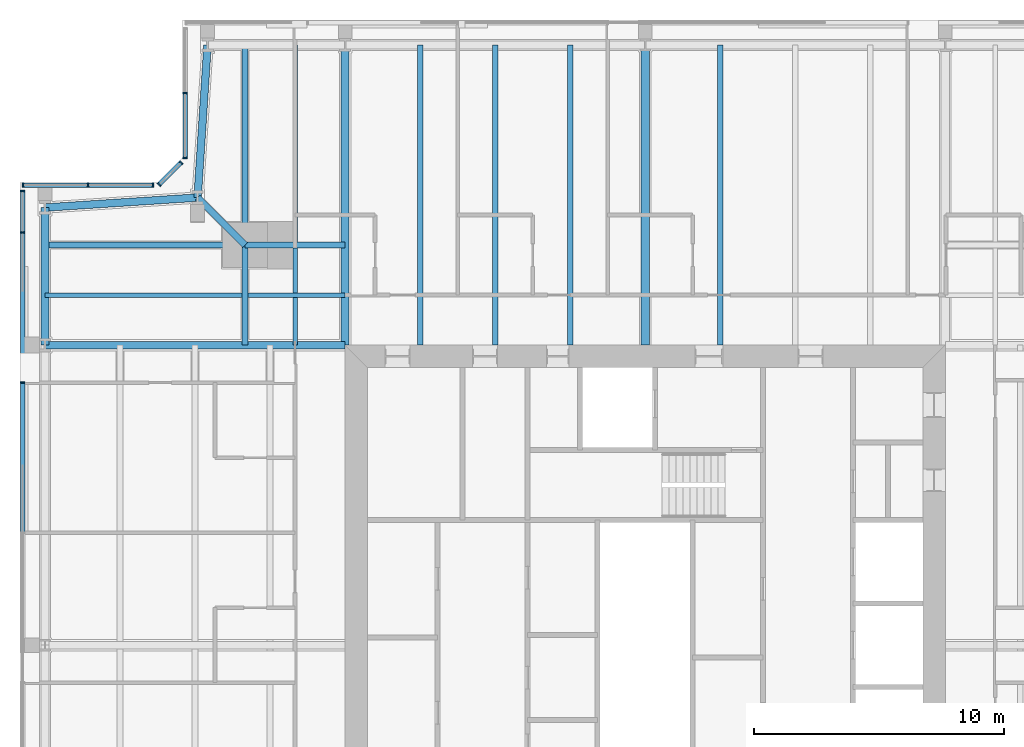
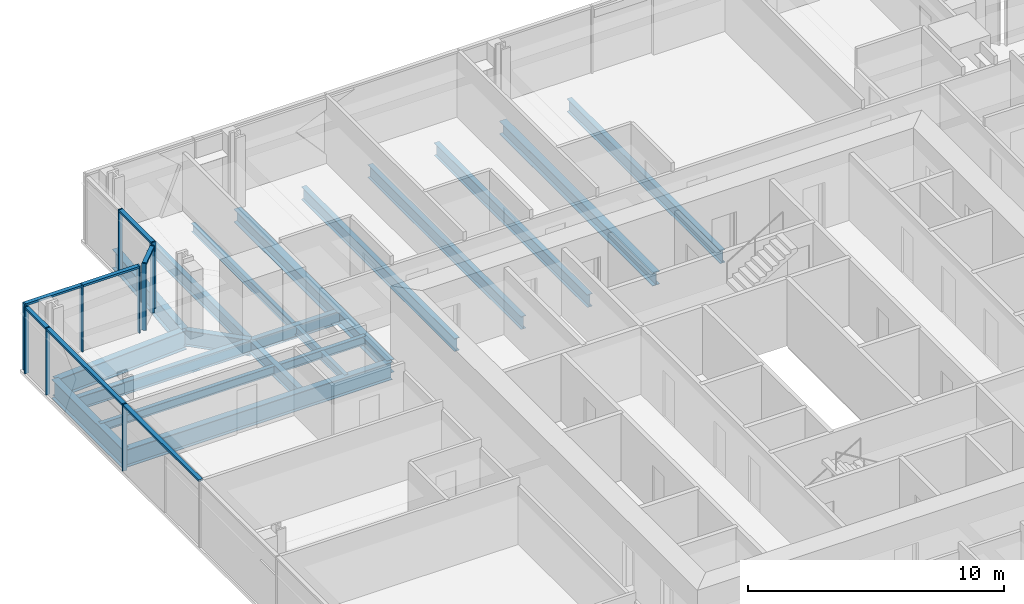
# One storey, part 7 of 18: 20 beams, 17 members, 4 elements without a shape of their own.
"""IFC4 building model written with IfcOpenShell, lengths in metres."""

from ifc_helpers import new_model, si_unit, direction, frame, origin, origin_2d, place, context, subcontext, project, spatial, rectangle, i_section, extrude, material, material_profile, profile_set, type_object, element, aggregate, save


model = new_model("IFC4")

# Units and contexts
model_context = context("Model", 3, precision=1e-05, world=origin(), true_north=direction((0.0, 1.0)))
body_context = subcontext(model_context, "Body", "Model", "MODEL_VIEW")
ifc_project = project(units=[si_unit("LENGTHUNIT", "METRE"), si_unit("AREAUNIT", "SQUARE_METRE"), si_unit("VOLUMEUNIT", "CUBIC_METRE"), si_unit("PLANEANGLEUNIT", "RADIAN"), si_unit("MASSUNIT", "GRAM", prefix="KILO")], contexts=[model_context])

# Site, building, storey
site_placement = place(None, origin())
site = spatial("IfcSite", under=ifc_project, at=site_placement, CompositionType="ELEMENT")
building_placement = place(site_placement, origin())
building = spatial("IfcBuilding", under=site, at=building_placement, Name="Fenwick Lantern Interchange", CompositionType="ELEMENT")
storey_placement = place(building_placement, frame((0.0, 0.0, 293.39990234375)))
storey = spatial("IfcBuildingStorey", under=building, at=storey_placement, Name="L71", CompositionType="ELEMENT", Elevation=293.39990234375)

# Beams
ifc_material_1 = material(Name="Steel ASTM A992 Grade 50", Category="steel")
ifc_material_profile_1 = material_profile(ifc_material_1, i_section(OverallWidth=0.3046875, OverallDepth=0.911865234375, WebThickness=0.015869140625, FlangeThickness=0.02392578125, at=origin_2d()), Name="W36X150")
ifc_profile_set_1 = profile_set([ifc_material_profile_1], Name="Steel ASTM A992 Grade 50")
beam_type_1 = type_object("IfcBeamType", Name="EDGE BEAM W36X150", PredefinedType="SPANDREL", material=ifc_profile_set_1)
for number, where, z_axis, x_axis, name in (
    (1, (7.5, 49.0, -0.605712890625), (-0.065416293237, -0.997858060337, 0.0), (0.997858060337, -0.065416293237, 0.0), "L71/FR/N/EBR1"),
    (2, (7.10009765625, 42.89990234375, -0.605712890625), (-0.997858060337, -0.065416293237, 0.0), (0.065416293237, -0.997858060337, 0.0), "L71/FR/N/EBR2"),
):
    element("IfcBeam", number, at=place(storey_placement, frame(where, z_axis=z_axis, x_axis=x_axis)), inside=storey, type_object=beam_type_1, Name=name, PredefinedType="SPANDREL", context=body_context, shape_type="SweptSolid", body=[
        extrude(i_section(OverallWidth=0.3046875, OverallDepth=0.911865234375, WebThickness=0.015869140625, FlangeThickness=0.02392578125, at=origin_2d()), origin(), (0.0, 0.0, 1.0), 6.11328125),
    ])
beam_1_placement = place(storey_placement, frame((1.0, 42.5, -0.605712890625), z_axis=(0.0, -1.0, 0.0), x_axis=(1.0, 0.0, 0.0)))
element("IfcBeam", 3, at=beam_1_placement, inside=storey, type_object=beam_type_1, Name="L71/FR/W/EB1", PredefinedType="SPANDREL", context=body_context, shape_type="SweptSolid", body=[
    extrude(i_section(OverallWidth=0.3046875, OverallDepth=0.911865234375, WebThickness=0.015869140625, FlangeThickness=0.02392578125, at=origin_2d()), origin(), (0.0, 0.0, 1.0), 5.5),
])
ifc_material_profile_2 = material_profile(ifc_material_1, i_section(OverallWidth=0.22900390625, OverallDepth=0.612060546875, WebThickness=0.011962890625, FlangeThickness=0.01953125, at=origin_2d()), Name="W24X84")
ifc_profile_set_2 = profile_set([ifc_material_profile_2], Name="Steel ASTM A992 Grade 50")
beam_type_2 = type_object("IfcBeamType", Name="FLOOR BEAM W24X84", PredefinedType="BEAM", material=ifc_profile_set_2)
for number, where, z_axis, x_axis, name in (
    (4, (28.0, 49.0, -0.4560546875), (0.0, -1.0, 0.0), (1.0, 0.0, 0.0), "L71/FR/N/R04"),
    (5, (22.0, 49.0, -0.4560546875), (0.0, -1.0, 0.0), (1.0, 0.0, 0.0), "L71/FR/N/R06"),
    (6, (19.0, 49.0, -0.4560546875), (0.0, -1.0, 0.0), (1.0, 0.0, 0.0), "L71/FR/N/R07"),
    (7, (16.0, 49.0, -0.4560546875), (0.0, -1.0, 0.0), (1.0, 0.0, 0.0), "L71/FR/N/R08"),
):
    element("IfcBeam", number, at=place(storey_placement, frame(where, z_axis=z_axis, x_axis=x_axis)), inside=storey, type_object=beam_type_2, Name=name, PredefinedType="BEAM", context=body_context, shape_type="SweptSolid", body=[
        extrude(i_section(OverallWidth=0.22900390625, OverallDepth=0.612060546875, WebThickness=0.011962890625, FlangeThickness=0.01953125, at=origin_2d()), origin(), (0.0, 0.0, 1.0), 12.0),
    ])

# Curtain wall, members
ifc_material_2 = material(Name="Aluminium curtain wall frame", Category="aluminium")
curtain_wall_type = type_object("IfcCurtainWallType", Name="HOTEL CURTAIN WALL", PredefinedType="USERDEFINED", material=ifc_material_2)
curtain_wall_1_placement = place(storey_placement, origin())
curtain_wall_1 = element("IfcCurtainWall", 8, at=curtain_wall_1_placement, inside=storey, type_object=curtain_wall_type, Name="Hotel curtain wall 10", ObjectType="HOTEL CURTAIN WALL", PredefinedType="USERDEFINED")
ifc_material_3 = material(Name="Aluminium extrusion", Category="aluminium")
ifc_material_profile_3 = material_profile(ifc_material_3, rectangle(XDim=0.179931640625, YDim=0.06005859375, at=origin_2d()), Name="HOTEL CURTAIN WALL MULLION 60 X 180")
ifc_profile_set_3 = profile_set([ifc_material_profile_3], Name="Aluminium extrusion")
member_type_1 = type_object("IfcMemberType", Name="HOTEL CURTAIN WALL MULLION 60 X 180", PredefinedType="MULLION", material=ifc_profile_set_3)
member_1_placement = place(storey_placement, frame((6.60009765625, 47.079345703125, 0.0), z_axis=(0.0, 0.0, 1.0), x_axis=(1.0, 0.0, 0.0)))
member_1 = element("IfcMember", 9, at=member_1_placement, type_object=member_type_1, Name="L71/CW/10/M01", PredefinedType="MULLION", context=body_context, shape_type="SweptSolid", body=[
    extrude(rectangle(XDim=0.179931640625, YDim=0.06005859375, at=origin_2d()), origin(), (0.0, 0.0, 1.0), 3.2001953125),
])
member_2_placement = place(storey_placement, frame((6.60009765625, 44.488525390625, 0.0), z_axis=(0.0, 0.0, 1.0), x_axis=(1.0, 0.0, 0.0)))
member_2 = element("IfcMember", 10, at=member_2_placement, type_object=member_type_1, Name="L71/CW/10/M02", PredefinedType="MULLION", context=body_context, shape_type="SweptSolid", body=[
    extrude(rectangle(XDim=0.179931640625, YDim=0.06005859375, at=origin_2d()), origin(), (0.0, 0.0, 1.0), 3.2001953125),
])

curtain_wall_2_placement = place(storey_placement, origin())
curtain_wall_2 = element("IfcCurtainWall", 11, at=curtain_wall_2_placement, inside=storey, type_object=curtain_wall_type, Name="Hotel curtain wall 11", ObjectType="HOTEL CURTAIN WALL", PredefinedType="USERDEFINED")
member_3_placement = place(storey_placement, frame((6.437255859375, 44.2958984375, 0.0), z_axis=(0.0, 0.0, 1.0), x_axis=(0.707106781187, -0.707106781187, 0.0)))
member_3 = element("IfcMember", 12, at=member_3_placement, type_object=member_type_1, Name="L71/CW/11/M00", PredefinedType="MULLION", context=body_context, shape_type="SweptSolid", body=[
    extrude(rectangle(XDim=0.179931640625, YDim=0.06005859375, at=origin_2d()), origin(), (0.0, 0.0, 1.0), 3.2001953125),
])
member_4_placement = place(storey_placement, frame((5.562744140625, 43.421142578125, 0.0), z_axis=(0.0, 0.0, 1.0), x_axis=(0.707106781187, -0.707106781187, 0.0)))
member_4 = element("IfcMember", 13, at=member_4_placement, type_object=member_type_1, Name="L71/CW/11/M01", PredefinedType="MULLION", context=body_context, shape_type="SweptSolid", body=[
    extrude(rectangle(XDim=0.179931640625, YDim=0.06005859375, at=origin_2d()), origin(), (0.0, 0.0, 1.0), 3.2001953125),
])

curtain_wall_3_placement = place(storey_placement, origin())
curtain_wall_3 = element("IfcCurtainWall", 14, at=curtain_wall_3_placement, inside=storey, type_object=curtain_wall_type, Name="Hotel curtain wall 12", ObjectType="HOTEL CURTAIN WALL", PredefinedType="USERDEFINED")
member_5_placement = place(storey_placement, frame((5.3115234375, 43.39990234375, 0.0), z_axis=(0.0, 0.0, 1.0), x_axis=(0.0, -1.0, 0.0)))
member_5 = element("IfcMember", 15, at=member_5_placement, type_object=member_type_1, Name="L71/CW/12/M00", PredefinedType="MULLION", context=body_context, shape_type="SweptSolid", body=[
    extrude(rectangle(XDim=0.179931640625, YDim=0.06005859375, at=origin_2d()), origin(), (0.0, 0.0, 1.0), 3.2001953125),
])
member_6_placement = place(storey_placement, frame((2.720703125, 43.39990234375, 0.0), z_axis=(0.0, 0.0, 1.0), x_axis=(0.0, -1.0, 0.0)))
member_6 = element("IfcMember", 16, at=member_6_placement, type_object=member_type_1, Name="L71/CW/12/M01", PredefinedType="MULLION", context=body_context, shape_type="SweptSolid", body=[
    extrude(rectangle(XDim=0.179931640625, YDim=0.06005859375, at=origin_2d()), origin(), (0.0, 0.0, 1.0), 3.2001953125),
])
member_7_placement = place(storey_placement, frame((0.1298828125, 43.39990234375, 0.0), z_axis=(0.0, 0.0, 1.0), x_axis=(0.0, -1.0, 0.0)))
member_7 = element("IfcMember", 17, at=member_7_placement, type_object=member_type_1, Name="L71/CW/12/M02", PredefinedType="MULLION", context=body_context, shape_type="SweptSolid", body=[
    extrude(rectangle(XDim=0.179931640625, YDim=0.06005859375, at=origin_2d()), origin(), (0.0, 0.0, 1.0), 3.2001953125),
])

curtain_wall_4_placement = place(storey_placement, origin())
curtain_wall_4 = element("IfcCurtainWall", 18, at=curtain_wall_4_placement, inside=storey, type_object=curtain_wall_type, Name="Hotel curtain wall 13", ObjectType="HOTEL CURTAIN WALL", PredefinedType="USERDEFINED")
member_8_placement = place(storey_placement, frame((0.10009765625, 43.169921875, 0.0), z_axis=(0.0, 0.0, 1.0), x_axis=(1.0, 0.0, 0.0)))
member_8 = element("IfcMember", 19, at=member_8_placement, type_object=member_type_1, Name="L71/CW/13/M00", PredefinedType="MULLION", context=body_context, shape_type="SweptSolid", body=[
    extrude(rectangle(XDim=0.179931640625, YDim=0.06005859375, at=origin_2d()), origin(), (0.0, 0.0, 1.0), 3.2001953125),
])
member_9_placement = place(storey_placement, frame((0.10009765625, 41.5, 0.0), z_axis=(0.0, 0.0, 1.0), x_axis=(1.0, 0.0, 0.0)))
member_9 = element("IfcMember", 20, at=member_9_placement, type_object=member_type_1, Name="L71/CW/13/M01", PredefinedType="MULLION", context=body_context, shape_type="SweptSolid", body=[
    extrude(rectangle(XDim=0.179931640625, YDim=0.06005859375, at=origin_2d()), origin(), (0.0, 0.0, 1.0), 3.2001953125),
])
member_10_placement = place(storey_placement, frame((0.10009765625, 35.5, 0.0), z_axis=(0.0, 0.0, 1.0), x_axis=(1.0, 0.0, 0.0)))
member_10 = element("IfcMember", 21, at=member_10_placement, type_object=member_type_1, Name="L71/CW/13/M02", PredefinedType="MULLION", context=body_context, shape_type="SweptSolid", body=[
    extrude(rectangle(XDim=0.179931640625, YDim=0.06005859375, at=origin_2d()), origin(), (0.0, 0.0, 1.0), 3.2001953125),
])

# Member
ifc_material_profile_4 = material_profile(ifc_material_3, rectangle(XDim=0.179931640625, YDim=0.10009765625, at=origin_2d()), Name="HOTEL CURTAIN WALL TRANSOM 100 X 180")
ifc_profile_set_4 = profile_set([ifc_material_profile_4], Name="Aluminium extrusion")
member_type_2 = type_object("IfcMemberType", Name="HOTEL CURTAIN WALL TRANSOM 100 X 180", PredefinedType="MULLION", material=ifc_profile_set_4)
member_11_placement = place(storey_placement, frame((6.60009765625, 47.04931640625, 3.150146484375), z_axis=(0.0, -1.0, 0.0), x_axis=(1.0, 0.0, 0.0)))
member_11 = element("IfcMember", 22, at=member_11_placement, type_object=member_type_2, Name="L71/CW/10/T01", PredefinedType="MULLION", context=body_context, shape_type="SweptSolid", body=[
    extrude(rectangle(XDim=0.179931640625, YDim=0.10009765625, at=origin_2d()), origin(), (0.0, 0.0, 1.0), 2.53076171875),
])

aggregate(curtain_wall_1, [member_1, member_2, member_11])

member_12_placement = place(storey_placement, frame((6.416259765625, 44.274658203125, 3.150146484375), z_axis=(-0.707210470133, -0.707003077033, 0.0), x_axis=(0.707003077033, -0.707210470133, 0.0)))
member_12 = element("IfcMember", 23, at=member_12_placement, type_object=member_type_2, Name="L71/CW/11/T00", PredefinedType="MULLION", context=body_context, shape_type="SweptSolid", body=[
    extrude(rectangle(XDim=0.179931640625, YDim=0.10009765625, at=origin_2d()), origin(), (0.0, 0.0, 1.0), 1.17724609375),
])

aggregate(curtain_wall_2, [member_3, member_4, member_12])

member_13_placement = place(storey_placement, frame((5.281494140625, 43.39990234375, 3.150146484375), z_axis=(-1.0, 0.0, 0.0), x_axis=(0.0, -1.0, 0.0)))
member_13 = element("IfcMember", 24, at=member_13_placement, type_object=member_type_2, Name="L71/CW/12/T00", PredefinedType="MULLION", context=body_context, shape_type="SweptSolid", body=[
    extrude(rectangle(XDim=0.179931640625, YDim=0.10009765625, at=origin_2d()), origin(), (0.0, 0.0, 1.0), 2.53076171875),
])

member_14_placement = place(storey_placement, frame((2.690673828125, 43.39990234375, 3.150146484375), z_axis=(-1.0, 0.0, 0.0), x_axis=(0.0, -1.0, 0.0)))
member_14 = element("IfcMember", 25, at=member_14_placement, type_object=member_type_2, Name="L71/CW/12/T01", PredefinedType="MULLION", context=body_context, shape_type="SweptSolid", body=[
    extrude(rectangle(XDim=0.179931640625, YDim=0.10009765625, at=origin_2d()), origin(), (0.0, 0.0, 1.0), 2.53076171875),
])

aggregate(curtain_wall_3, [member_5, member_6, member_7, member_13, member_14])

member_15_placement = place(storey_placement, frame((0.10009765625, 43.139892578125, 3.150146484375), z_axis=(0.0, -1.0, 0.0), x_axis=(1.0, 0.0, 0.0)))
member_15 = element("IfcMember", 26, at=member_15_placement, type_object=member_type_2, Name="L71/CW/13/T00", PredefinedType="MULLION", context=body_context, shape_type="SweptSolid", body=[
    extrude(rectangle(XDim=0.179931640625, YDim=0.10009765625, at=origin_2d()), origin(), (0.0, 0.0, 1.0), 1.60986328125),
])

member_16_placement = place(storey_placement, frame((0.10009765625, 41.469970703125, 3.150146484375), z_axis=(0.0, -1.0, 0.0), x_axis=(1.0, 0.0, 0.0)))
member_16 = element("IfcMember", 27, at=member_16_placement, type_object=member_type_2, Name="L71/CW/13/T01", PredefinedType="MULLION", context=body_context, shape_type="SweptSolid", body=[
    extrude(rectangle(XDim=0.179931640625, YDim=0.10009765625, at=origin_2d()), origin(), (0.0, 0.0, 1.0), 5.93994140625),
])

member_17_placement = place(storey_placement, frame((0.10009765625, 35.469970703125, 3.150146484375), z_axis=(0.0, -1.0, 0.0), x_axis=(1.0, 0.0, 0.0)))
member_17 = element("IfcMember", 28, at=member_17_placement, type_object=member_type_2, Name="L71/CW/13/T02", PredefinedType="MULLION", context=body_context, shape_type="SweptSolid", body=[
    extrude(rectangle(XDim=0.179931640625, YDim=0.10009765625, at=origin_2d()), origin(), (0.0, 0.0, 1.0), 5.93994140625),
])

aggregate(curtain_wall_4, [member_8, member_9, member_10, member_15, member_16, member_17])

# Beams
ifc_material_profile_5 = material_profile(ifc_material_1, i_section(OverallWidth=0.177734375, OverallDepth=0.406494140625, WebThickness=0.0078125, FlangeThickness=0.012939453125, at=origin_2d()), Name="W16X40")
ifc_profile_set_5 = profile_set([ifc_material_profile_5], Name="Steel ASTM A992 Grade 50")
beam_type_3 = type_object("IfcBeamType", Name="INFILL BEAM W16X40", PredefinedType="JOIST", material=ifc_profile_set_5)
beam_2_placement = place(storey_placement, frame((1.0, 39.0, -0.35302734375), z_axis=(1.0, 0.0, 0.0), x_axis=(0.0, 1.0, 0.0)))
element("IfcBeam", 29, at=beam_2_placement, inside=storey, type_object=beam_type_3, Name="L71/FR/W/J1", PredefinedType="JOIST", context=body_context, shape_type="SweptSolid", body=[
    extrude(i_section(OverallWidth=0.177734375, OverallDepth=0.406494140625, WebThickness=0.0078125, FlangeThickness=0.012939453125, at=origin_2d()), origin(), (0.0, 0.0, 1.0), 7.885498046875),
])
beam_3_placement = place(storey_placement, frame((9.114501953125, 39.0, -0.35302734375), z_axis=(1.0, 0.0, 0.0), x_axis=(0.0, 1.0, 0.0)))
element("IfcBeam", 30, at=beam_3_placement, inside=storey, type_object=beam_type_3, Name="L71/FR/W/J2", PredefinedType="JOIST", context=body_context, shape_type="SweptSolid", body=[
    extrude(i_section(OverallWidth=0.177734375, OverallDepth=0.406494140625, WebThickness=0.0078125, FlangeThickness=0.012939453125, at=origin_2d()), origin(), (0.0, 0.0, 1.0), 3.885498046875),
])
beam_4_placement = place(storey_placement, frame((11.0, 49.0, -0.35302734375), z_axis=(0.0, -1.0, 0.0), x_axis=(1.0, 0.0, 0.0)))
element("IfcBeam", 31, at=beam_4_placement, inside=storey, type_object=beam_type_3, Name="L71/FR/W/J3", PredefinedType="JOIST", context=body_context, shape_type="SweptSolid", body=[
    extrude(i_section(OverallWidth=0.177734375, OverallDepth=0.406494140625, WebThickness=0.0078125, FlangeThickness=0.012939453125, at=origin_2d()), origin(), (0.0, 0.0, 1.0), 7.885498046875),
])
beam_5_placement = place(storey_placement, frame((11.0, 40.885498046875, -0.35302734375), z_axis=(0.0, -1.0, 0.0), x_axis=(1.0, 0.0, 0.0)))
element("IfcBeam", 32, at=beam_5_placement, inside=storey, type_object=beam_type_3, Name="L71/FR/W/J4", PredefinedType="JOIST", context=body_context, shape_type="SweptSolid", body=[
    extrude(i_section(OverallWidth=0.177734375, OverallDepth=0.406494140625, WebThickness=0.0078125, FlangeThickness=0.012939453125, at=origin_2d()), origin(), (0.0, 0.0, 1.0), 1.796630859375),
])
beam_6_placement = place(storey_placement, frame((11.0, 38.9111328125, -0.35302734375), z_axis=(0.0, -1.0, 0.0), x_axis=(1.0, 0.0, 0.0)))
element("IfcBeam", 33, at=beam_6_placement, inside=storey, type_object=beam_type_3, Name="L71/FR/W/J5", PredefinedType="JOIST", context=body_context, shape_type="SweptSolid", body=[
    extrude(i_section(OverallWidth=0.177734375, OverallDepth=0.406494140625, WebThickness=0.0078125, FlangeThickness=0.012939453125, at=origin_2d()), origin(), (0.0, 0.0, 1.0), 1.9111328125),
])
ifc_material_profile_6 = material_profile(ifc_material_1, i_section(OverallWidth=0.22900390625, OverallDepth=0.612060546875, WebThickness=0.011962890625, FlangeThickness=0.01953125, at=origin_2d()), Name="W24X84")
ifc_profile_set_6 = profile_set([ifc_material_profile_6], Name="Steel ASTM A992 Grade 50")
beam_type_4 = type_object("IfcBeamType", Name="MEGA COLUMN BEAM W24X84", PredefinedType="BEAM", material=ifc_profile_set_6)
for number, where, z_axis, x_axis, name in (
    (34, (9.0, 41.0, -0.4560546875), (-1.0, 0.0, 0.0), (0.0, -1.0, 0.0), "L71/FR/W/MB1"),
    (35, (9.0, 41.0, -0.4560546875), (0.0, 1.0, 0.0), (-1.0, 0.0, 0.0), "L71/FR/W/MB2"),
):
    element("IfcBeam", number, at=place(storey_placement, frame(where, z_axis=z_axis, x_axis=x_axis)), inside=storey, type_object=beam_type_4, Name=name, PredefinedType="BEAM", context=body_context, shape_type="SweptSolid", body=[
        extrude(i_section(OverallWidth=0.22900390625, OverallDepth=0.612060546875, WebThickness=0.011962890625, FlangeThickness=0.01953125, at=origin_2d()), origin(), (0.0, 0.0, 1.0), 8.0),
    ])
for number, where, z_axis, x_axis, name in (
    (36, (9.0, 41.0, -0.4560546875), (0.0, -1.0, 0.0), (1.0, 0.0, 0.0), "L71/FR/W/MB3"),
    (37, (9.0, 41.0, -0.4560546875), (1.0, 0.0, 0.0), (0.0, 1.0, 0.0), "L71/FR/W/MB4"),
):
    element("IfcBeam", number, at=place(storey_placement, frame(where, z_axis=z_axis, x_axis=x_axis)), inside=storey, type_object=beam_type_4, Name=name, PredefinedType="BEAM", context=body_context, shape_type="SweptSolid", body=[
        extrude(i_section(OverallWidth=0.22900390625, OverallDepth=0.612060546875, WebThickness=0.011962890625, FlangeThickness=0.01953125, at=origin_2d()), origin(), (0.0, 0.0, 1.0), 4.0),
    ])
ifc_material_profile_7 = material_profile(ifc_material_1, i_section(OverallWidth=0.32763671875, OverallDepth=0.622314453125, WebThickness=0.015380859375, FlangeThickness=0.0244140625, at=origin_2d()), Name="W24X131")
ifc_profile_set_7 = profile_set([ifc_material_profile_7], Name="Steel ASTM A992 Grade 50")
beam_type_5 = type_object("IfcBeamType", Name="MOMENT-CONNECTED GIRDER W24X131", PredefinedType="BEAM", material=ifc_profile_set_7)
for number, where, z_axis, x_axis, name in (
    (38, (25.0, 49.0, -0.4609375), (0.0, -1.0, 0.0), (1.0, 0.0, 0.0), "L71/FR/N/R05"),
    (39, (13.0, 49.0, -0.4609375), (0.0, -1.0, 0.0), (1.0, 0.0, 0.0), "L71/FR/N/R09"),
):
    element("IfcBeam", number, at=place(storey_placement, frame(where, z_axis=z_axis, x_axis=x_axis)), inside=storey, type_object=beam_type_5, Name=name, PredefinedType="BEAM", context=body_context, shape_type="SweptSolid", body=[
        extrude(i_section(OverallWidth=0.32763671875, OverallDepth=0.622314453125, WebThickness=0.015380859375, FlangeThickness=0.0244140625, at=origin_2d()), origin(), (0.0, 0.0, 1.0), 12.0),
    ])
ifc_material_profile_8 = material_profile(ifc_material_1, i_section(OverallWidth=0.2919921875, OverallDepth=0.845703125, WebThickness=0.015380859375, FlangeThickness=0.0244140625, at=origin_2d()), Name="W33X141")
ifc_profile_set_8 = profile_set([ifc_material_profile_8], Name="Steel ASTM A992 Grade 50")
beam_type_6 = type_object("IfcBeamType", Name="MOMENT-CONNECTED GIRDER W33X141", PredefinedType="BEAM", material=ifc_profile_set_8)
beam_7_placement = place(storey_placement, frame((1.0, 37.0, -0.57275390625), z_axis=(1.0, 0.0, 0.0), x_axis=(0.0, 1.0, 0.0)))
element("IfcBeam", 40, at=beam_7_placement, inside=storey, type_object=beam_type_6, Name="L71/FR/W/R01", PredefinedType="BEAM", context=body_context, shape_type="SweptSolid", body=[
    extrude(i_section(OverallWidth=0.2919921875, OverallDepth=0.845703125, WebThickness=0.015380859375, FlangeThickness=0.0244140625, at=origin_2d()), origin(), (0.0, 0.0, 1.0), 12.0),
])
ifc_material_profile_9 = material_profile(ifc_material_1, i_section(OverallWidth=0.2666015625, OverallDepth=0.7568359375, WebThickness=0.013916015625, FlangeThickness=0.019287109375, at=origin_2d()), Name="W30X108")
ifc_profile_set_9 = profile_set([ifc_material_profile_9], Name="Steel ASTM A992 Grade 50")
beam_type_7 = type_object("IfcBeamType", Name="NOTCH BEAM W30X108", PredefinedType="BEAM", material=ifc_profile_set_9)
beam_8_placement = place(storey_placement, frame((9.0, 41.0, -0.5283203125), z_axis=(-0.707106781187, 0.707106781187, 0.0), x_axis=(-0.707106781187, -0.707106781187, 0.0)))
element("IfcBeam", 41, at=beam_8_placement, inside=storey, type_object=beam_type_7, Name="L71/FR/W/TG", PredefinedType="BEAM", context=body_context, shape_type="SweptSolid", body=[
    extrude(i_section(OverallWidth=0.2666015625, OverallDepth=0.7568359375, WebThickness=0.013916015625, FlangeThickness=0.019287109375, at=origin_2d()), origin(), (0.0, 0.0, 1.0), 2.686767578125),
])

save(model, "model.ifc")
